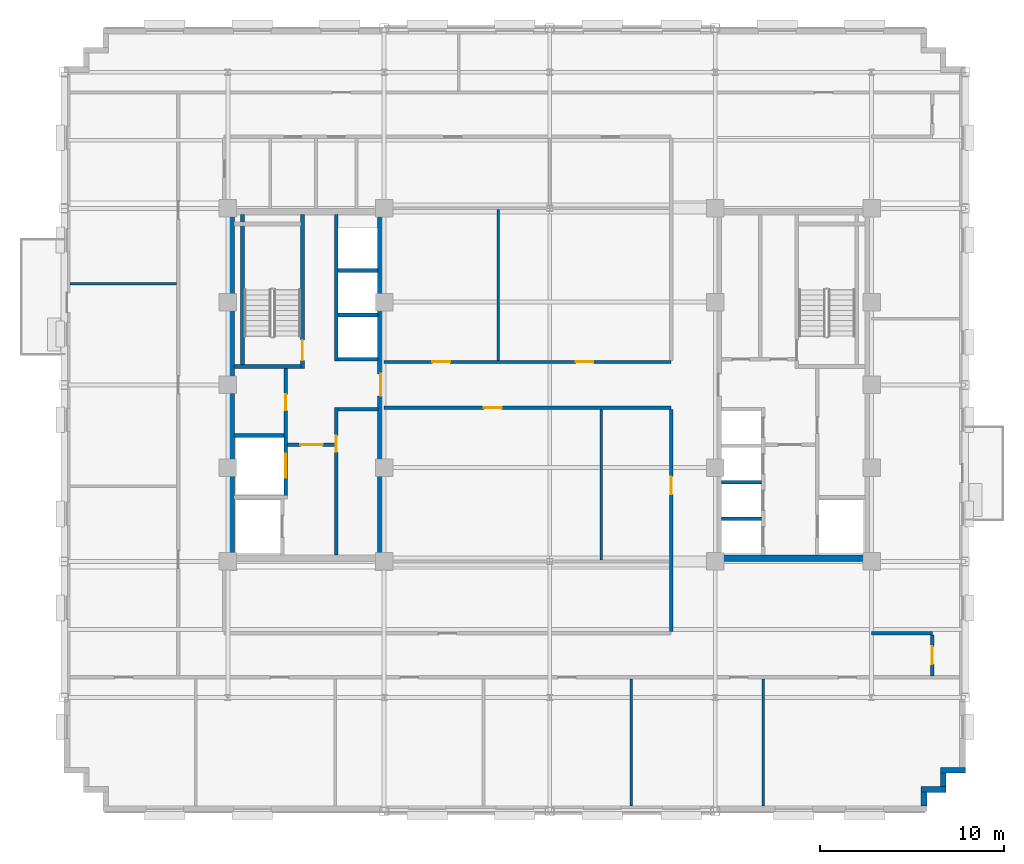
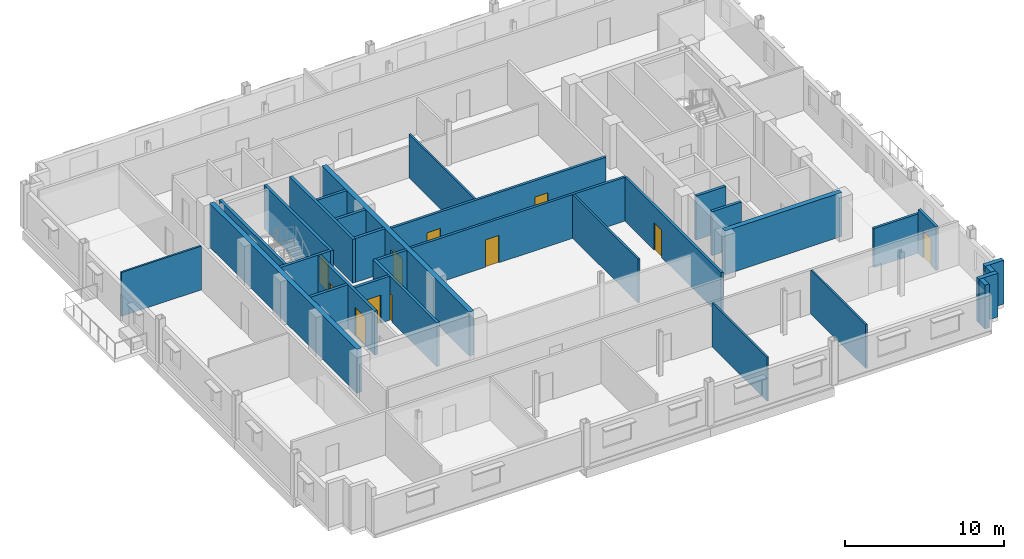
# One storey, part 8 of 15: 31 walls, 11 doors, 11 openings.
"""IFC4 building model written with IfcOpenShell, lengths in metres."""

from ifc_helpers import new_model, si_unit, direction, frame, frame_2d, origin, place, context, subcontext, project, spatial, rectangle, extrude, source, transform, mapped, material, layer, layer_set, type_object, type_shapes, element, fill, save


model = new_model("IFC4")

# Units and contexts
model_context = context("Model", 3, precision=1e-05, world=origin(), true_north=direction((0.0, 1.0)))
body_context = subcontext(model_context, "Body", "Model", "MODEL_VIEW")
ifc_project = project(units=[si_unit("LENGTHUNIT", "METRE"), si_unit("AREAUNIT", "SQUARE_METRE"), si_unit("VOLUMEUNIT", "CUBIC_METRE"), si_unit("PLANEANGLEUNIT", "RADIAN"), si_unit("MASSUNIT", "GRAM", prefix="KILO")], contexts=[model_context])

# Site, building, storey
site_placement = place(None, origin())
site = spatial("IfcSite", under=ifc_project, at=site_placement, CompositionType="ELEMENT")
building_placement = place(site_placement, origin())
building = spatial("IfcBuilding", under=site, at=building_placement, Name="Nuvemarco Arch Tower", CompositionType="ELEMENT")
storey_placement = place(building_placement, frame((0.0, 0.0, 198.199951171875)))
storey = spatial("IfcBuildingStorey", under=building, at=storey_placement, Name="L52", CompositionType="ELEMENT", Elevation=198.199951171875)

# Walls
ifc_material_1 = material(Name="Precast concrete C45/55", Category="concrete")
ifc_layer_1 = layer(ifc_material_1, 0.31005859375, Name="EW-UPP-310")
ifc_layer_set_1 = layer_set([ifc_layer_1], Name="Precast concrete C45/55")
wall_type_1 = type_object("IfcWallType", Name="EW-UPP-310", PredefinedType="STANDARD", material=ifc_layer_set_1)
wall_1_placement = place(storey_placement, frame((20.344970703125, -22.89404296875, 0.0), z_axis=(0.0, 0.0, 1.0), x_axis=(0.0, 1.0, 0.0)))
element("IfcWall", 1, at=wall_1_placement, inside=storey, type_object=wall_type_1, Name="L52 exterior precast facade wall 2", PredefinedType="STANDARD", context=body_context, shape_type="SweptSolid", body=[
    extrude(rectangle(XDim=0.748046875, YDim=0.31005859375, at=frame_2d((0.3740234375, 0.0))), origin(), (0.0, 0.0, 1.0), 3.360107421875),
])
wall_2_placement = place(storey_placement, frame((20.18994140625, -21.9951171875, 0.0), z_axis=(0.0, 0.0, 1.0), x_axis=(1.0, 0.0, 0.0)))
element("IfcWall", 2, at=wall_2_placement, inside=storey, type_object=wall_type_1, Name="L52 exterior precast facade wall 3", PredefinedType="STANDARD", context=body_context, shape_type="SweptSolid", body=[
    extrude(rectangle(XDim=1.360107421875, YDim=0.31005859375, at=frame_2d((0.68017578125, 0.0))), origin(), (0.0, 0.0, 1.0), 3.360107421875),
])
wall_3_placement = place(storey_placement, frame((21.39501953125, -21.843994140625, 0.0), z_axis=(0.0, 0.0, 1.0), x_axis=(0.0, 1.0, 0.0)))
element("IfcWall", 3, at=wall_3_placement, inside=storey, type_object=wall_type_1, Name="L52 exterior precast facade wall 4", PredefinedType="STANDARD", context=body_context, shape_type="SweptSolid", body=[
    extrude(rectangle(XDim=0.748046875, YDim=0.31005859375, at=frame_2d((0.3740234375, 0.0))), origin(), (0.0, 0.0, 1.0), 3.360107421875),
])
wall_4_placement = place(storey_placement, frame((21.239990234375, -20.945068359375, 0.0), z_axis=(0.0, 0.0, 1.0), x_axis=(1.0, 0.0, 0.0)))
element("IfcWall", 4, at=wall_4_placement, inside=storey, type_object=wall_type_1, Name="L52 exterior precast facade wall 5", PredefinedType="STANDARD", context=body_context, shape_type="SweptSolid", body=[
    extrude(rectangle(XDim=1.360107421875, YDim=0.31005859375, at=frame_2d((0.68017578125, 0.0))), origin(), (0.0, 0.0, 1.0), 3.360107421875),
])
ifc_material_2 = material(Name="Concrete C50/60", Category="concrete")
ifc_layer_2 = layer(ifc_material_2, 0.35009765625, Name="WL-CORE-350")
ifc_layer_set_2 = layer_set([ifc_layer_2], Name="Concrete C50/60")
wall_type_2 = type_object("IfcWallType", Name="WL-CORE-350", PredefinedType="SHEAR", material=ifc_layer_set_2)
wall_5_placement = place(storey_placement, frame((-17.324951171875, -9.2548828125, 0.0), z_axis=(0.0, 0.0, 1.0), x_axis=(0.0, 1.0, 0.0)))
element("IfcWall", 5, at=wall_5_placement, inside=storey, type_object=wall_type_2, Name="L52 W-core shear wall W", PredefinedType="SHEAR", context=body_context, shape_type="SweptSolid", body=[
    extrude(rectangle(XDim=18.509765625, YDim=0.35009765625, at=frame_2d((9.2548828125, 0.0))), origin(), (0.0, 0.0, 1.0), 3.3701171875),
])

# Wall, opening, door
wall_6_placement = place(storey_placement, frame((-9.175048828125, -9.2548828125, 0.0), z_axis=(0.0, 0.0, 1.0), x_axis=(0.0, 1.0, 0.0)))
wall_6 = element("IfcWall", 6, at=wall_6_placement, inside=storey, type_object=wall_type_2, Name="L52 W-core shear wall E", PredefinedType="SHEAR", context=body_context, shape_type="SweptSolid", body=[
    extrude(rectangle(XDim=18.509765625, YDim=0.35009765625, at=frame_2d((9.2548828125, 0.0))), origin(), (0.0, 0.0, 1.0), 3.3701171875),
])
opening_1_placement = place(wall_6_placement, frame((8.655029296875, 0.0, 0.0)))
opening_1 = element("IfcOpeningElement", 7, at=opening_1_placement, cuts=wall_6, Name="Opening FD-2", PredefinedType="OPENING", context=body_context, shape_type="SweptSolid", body=[
    extrude(rectangle(XDim=1.199951171875, YDim=2.14990234375, at=frame_2d((0.60009765625, 1.074951171875))), frame((0.0, 0.18505859375, 0.0), z_axis=(0.0, -1.0, 0.0), x_axis=(1.0, 0.0, 0.0)), (0.0, 0.0, 1.0), 0.3701171875),
])
ifc_material_3 = material(Name="Anodised steel fire door", Category="steel")
door_type_1 = type_object("IfcDoorType", Name="DR-FFLOB-FD", OperationType="NOTDEFINED", PredefinedType="DOOR", material=ifc_material_3)
shared_shape_1 = source(origin(), body_context, "Body", "SweptSolid", [
    extrude(rectangle(XDim=1.199951171875, YDim=2.14990234375, at=frame_2d((0.60009765625, 1.074951171875))), frame((0.0, 0.02490234375, 0.0), z_axis=(0.0, -1.0, 0.0), x_axis=(1.0, 0.0, 0.0)), (0.0, 0.0, 1.0), 0.050048828125),
])
type_shapes(door_type_1, [shared_shape_1])
door_1_placement = place(opening_1_placement, origin())
door_1 = element("IfcDoor", 8, at=door_1_placement, inside=storey, type_object=door_type_1, Name="L52 door FD-L52-WCORE-E", OperationType="SINGLE_SWING_LEFT", OverallHeight=2.14990234375, OverallWidth=1.199951171875, PredefinedType="DOOR", context=body_context, shape_type="MappedRepresentation", body=[
    mapped(shared_shape_1, transform((0.0, 0.0, 0.0), scale=1.0)),
])
fill(opening_1, door_1)

# Walls
wall_7_placement = place(storey_placement, frame((9.0, -9.425048828125, 0.0), z_axis=(0.0, 0.0, 1.0), x_axis=(1.0, 0.0, 0.0)))
element("IfcWall", 9, at=wall_7_placement, inside=storey, type_object=wall_type_2, Name="L52 E-core shear wall S", PredefinedType="SHEAR", context=body_context, shape_type="SweptSolid", body=[
    extrude(rectangle(XDim=8.5, YDim=0.35009765625, at=frame_2d((4.25, 0.0))), origin(), (0.0, 0.0, 1.0), 3.3701171875),
])
ifc_material_4 = material(Name="Fire-rated gypsum drywall partition")
ifc_layer_3 = layer(ifc_material_4, 0.179931640625, Name="WL-CORR-180")
ifc_layer_set_3 = layer_set([ifc_layer_3], Name="Fire-rated gypsum drywall partition")
wall_type_3 = type_object("IfcWallType", Name="WL-CORR-180", PredefinedType="PARTITIONING", material=ifc_layer_set_3)
wall_8_placement = place(storey_placement, frame((17.5, -13.5, 0.0), z_axis=(0.0, 0.0, 1.0), x_axis=(1.0, 0.0, 0.0)))
element("IfcWall", 10, at=wall_8_placement, inside=storey, type_object=wall_type_3, Name="L52 interior wall IW-L52-003", PredefinedType="PARTITIONING", context=body_context, shape_type="SweptSolid", body=[
    extrude(rectangle(XDim=3.300048828125, YDim=0.179931640625, at=frame_2d((1.64990234375, 0.0))), origin(), (0.0, 0.0, 1.0), 3.008056640625),
])

# Wall, opening, door
wall_9_placement = place(storey_placement, frame((-9.0, -1.25, 0.0), z_axis=(0.0, 0.0, 1.0), x_axis=(1.0, 0.0, 0.0)))
wall_9 = element("IfcWall", 11, at=wall_9_placement, inside=storey, type_object=wall_type_3, Name="L52 interior wall IW-L52-007", PredefinedType="PARTITIONING", context=body_context, shape_type="SweptSolid", body=[
    extrude(rectangle(XDim=15.60009765625, YDim=0.179931640625, at=frame_2d((7.800048828125, 0.0))), origin(), (0.0, 0.0, 1.0), 3.360107421875),
])
opening_2_placement = place(wall_9_placement, frame((5.419921875, 0.0, 0.0)))
opening_2 = element("IfcOpeningElement", 12, at=opening_2_placement, cuts=wall_9, Name="Opening FD-5", PredefinedType="OPENING", context=body_context, shape_type="SweptSolid", body=[
    extrude(rectangle(XDim=0.9599609375, YDim=2.10009765625, at=frame_2d((0.47998046875, 1.050048828125))), frame((0.0, 0.099853515625, 0.0), z_axis=(0.0, -1.0, 0.0), x_axis=(1.0, 0.0, 0.0)), (0.0, 0.0, 1.0), 0.199951171875),
])
ifc_material_5 = material(Name="Timber fire door", Category="wood")
door_type_2 = type_object("IfcDoorType", Name="DR-CORR-FD", OperationType="NOTDEFINED", PredefinedType="DOOR", material=ifc_material_5)
shared_shape_2 = source(origin(), body_context, "Body", "SweptSolid", [
    extrude(rectangle(XDim=0.9599609375, YDim=2.10009765625, at=frame_2d((0.47998046875, 1.050048828125))), frame((0.0, 0.02490234375, 0.0), z_axis=(0.0, -1.0, 0.0), x_axis=(1.0, 0.0, 0.0)), (0.0, 0.0, 1.0), 0.050048828125),
])
type_shapes(door_type_2, [shared_shape_2])
door_2_placement = place(opening_2_placement, origin())
door_2 = element("IfcDoor", 13, at=door_2_placement, inside=storey, type_object=door_type_2, Name="L52 door DR-L52-C_SW", OperationType="SINGLE_SWING_RIGHT", OverallHeight=2.10009765625, OverallWidth=0.9599609375, PredefinedType="DOOR", context=body_context, shape_type="MappedRepresentation", body=[
    mapped(shared_shape_2, transform((0.0, 0.0, 0.0), scale=1.0)),
])
fill(opening_2, door_2)

# Wall, openings, doors
wall_10_placement = place(storey_placement, frame((-9.0, 1.25, 0.0), z_axis=(0.0, 0.0, 1.0), x_axis=(1.0, 0.0, 0.0)))
wall_10 = element("IfcWall", 14, at=wall_10_placement, inside=storey, type_object=wall_type_3, Name="L52 interior wall IW-L52-008", PredefinedType="PARTITIONING", context=body_context, shape_type="SweptSolid", body=[
    extrude(rectangle(XDim=15.60009765625, YDim=0.179931640625, at=frame_2d((7.800048828125, 0.0))), origin(), (0.0, 0.0, 1.0), 3.360107421875),
])
opening_3_placement = place(wall_10_placement, frame((10.419921875, 0.0, 0.0)))
opening_3 = element("IfcOpeningElement", 15, at=opening_3_placement, cuts=wall_10, Name="Opening FD-5", PredefinedType="OPENING", context=body_context, shape_type="SweptSolid", body=[
    extrude(rectangle(XDim=0.9599609375, YDim=2.10009765625, at=frame_2d((0.47998046875, 1.050048828125))), frame((0.0, 0.099853515625, 0.0), z_axis=(0.0, -1.0, 0.0), x_axis=(1.0, 0.0, 0.0)), (0.0, 0.0, 1.0), 0.199951171875),
])
opening_4_placement = place(wall_10_placement, frame((2.6201171875, 0.0, 0.0)))
opening_4 = element("IfcOpeningElement", 16, at=opening_4_placement, cuts=wall_10, Name="Opening FD-5", PredefinedType="OPENING", context=body_context, shape_type="SweptSolid", body=[
    extrude(rectangle(XDim=0.9599609375, YDim=2.10009765625, at=frame_2d((0.47998046875, 1.050048828125))), frame((0.0, 0.099853515625, 0.0), z_axis=(0.0, -1.0, 0.0), x_axis=(1.0, 0.0, 0.0)), (0.0, 0.0, 1.0), 0.199951171875),
])
door_3_placement = place(opening_3_placement, origin())
door_3 = element("IfcDoor", 17, at=door_3_placement, inside=storey, type_object=door_type_2, Name="L52 door DR-L52-C_NE", OperationType="SINGLE_SWING_LEFT", OverallHeight=2.10009765625, OverallWidth=0.9599609375, PredefinedType="DOOR", context=body_context, shape_type="MappedRepresentation", body=[
    mapped(shared_shape_2, transform((0.0, 0.0, 0.0), scale=1.0)),
])
fill(opening_3, door_3)
door_4_placement = place(opening_4_placement, origin())
door_4 = element("IfcDoor", 18, at=door_4_placement, inside=storey, type_object=door_type_2, Name="L52 door DR-L52-C_NW", OperationType="SINGLE_SWING_LEFT", OverallHeight=2.10009765625, OverallWidth=0.9599609375, PredefinedType="DOOR", context=body_context, shape_type="MappedRepresentation", body=[
    mapped(shared_shape_2, transform((0.0, 0.0, 0.0), scale=1.0)),
])
fill(opening_4, door_4)

# Wall, opening, door
wall_11_placement = place(storey_placement, frame((6.60009765625, -13.4140625, 0.0), z_axis=(0.0, 0.0, 1.0), x_axis=(0.0, 1.0, 0.0)))
wall_11 = element("IfcWall", 19, at=wall_11_placement, inside=storey, type_object=wall_type_3, Name="L52 interior wall IW-L52-030", PredefinedType="PARTITIONING", context=body_context, shape_type="SweptSolid", body=[
    extrude(rectangle(XDim=12.078125, YDim=0.179931640625, at=frame_2d((6.0390625, 0.0))), origin(), (0.0, 0.0, 1.0), 3.360107421875),
])
opening_5_placement = place(wall_11_placement, frame((7.466064453125, 0.0, 0.0)))
opening_5 = element("IfcOpeningElement", 20, at=opening_5_placement, cuts=wall_11, Name="Opening FD-5", PredefinedType="OPENING", context=body_context, shape_type="SweptSolid", body=[
    extrude(rectangle(XDim=0.9599609375, YDim=2.10009765625, at=frame_2d((0.47998046875, 1.050048828125))), frame((0.0, 0.099853515625, 0.0), z_axis=(0.0, -1.0, 0.0), x_axis=(1.0, 0.0, 0.0)), (0.0, 0.0, 1.0), 0.199951171875),
])
door_5_placement = place(opening_5_placement, origin())
door_5 = element("IfcDoor", 21, at=door_5_placement, inside=storey, type_object=door_type_2, Name="L52 door DR-L52-C_SE", OperationType="SINGLE_SWING_LEFT", OverallHeight=2.10009765625, OverallWidth=0.9599609375, PredefinedType="DOOR", context=body_context, shape_type="MappedRepresentation", body=[
    mapped(shared_shape_2, transform((0.0, 0.0, 0.0), scale=1.0)),
])
fill(opening_5, door_5)

wall_12_placement = place(storey_placement, frame((20.800048828125, -15.81396484375, 0.0), z_axis=(0.0, 0.0, 1.0), x_axis=(0.0, 1.0, 0.0)))
wall_12 = element("IfcWall", 22, at=wall_12_placement, inside=storey, type_object=wall_type_3, Name="L52 interior wall IW-L52-033", PredefinedType="PARTITIONING", context=body_context, shape_type="SweptSolid", body=[
    extrude(rectangle(XDim=2.22802734375, YDim=0.179931640625, at=frame_2d((1.114013671875, 0.0))), origin(), (0.0, 0.0, 1.0), 3.360107421875),
])
opening_6_placement = place(wall_12_placement, frame((0.634033203125, 0.0, 0.0)))
opening_6 = element("IfcOpeningElement", 23, at=opening_6_placement, cuts=wall_12, Name="Opening FD-5", PredefinedType="OPENING", context=body_context, shape_type="SweptSolid", body=[
    extrude(rectangle(XDim=0.9599609375, YDim=2.10009765625, at=frame_2d((0.47998046875, 1.050048828125))), frame((0.0, 0.099853515625, 0.0), z_axis=(0.0, -1.0, 0.0), x_axis=(1.0, 0.0, 0.0)), (0.0, 0.0, 1.0), 0.199951171875),
])
door_6_placement = place(opening_6_placement, origin())
door_6 = element("IfcDoor", 24, at=door_6_placement, inside=storey, type_object=door_type_2, Name="L52 door DR-L52-E_1", OperationType="SINGLE_SWING_RIGHT", OverallHeight=2.10009765625, OverallWidth=0.9599609375, PredefinedType="DOOR", context=body_context, shape_type="MappedRepresentation", body=[
    mapped(shared_shape_2, transform((0.0, 0.0, 0.0), scale=1.0)),
])
fill(opening_6, door_6)

# Walls
ifc_material_6 = material(Name="Glazed acoustic office partition")
ifc_layer_4 = layer(ifc_material_6, 0.1298828125, Name="WL-EXEC-130")
ifc_layer_set_4 = layer_set([ifc_layer_4], Name="Glazed acoustic office partition")
wall_type_4 = type_object("IfcWallType", Name="WL-EXEC-130", PredefinedType="PARTITIONING", material=ifc_layer_set_4)
wall_13_placement = place(storey_placement, frame((-26.090087890625, 5.5, 0.0), z_axis=(0.0, 0.0, 1.0), x_axis=(1.0, 0.0, 0.0)))
element("IfcWall", 25, at=wall_13_placement, inside=storey, type_object=wall_type_4, Name="L52 interior wall IW-L52-010", PredefinedType="PARTITIONING", context=body_context, shape_type="SweptSolid", body=[
    extrude(rectangle(XDim=5.80419921875, YDim=0.1298828125, at=frame_2d((2.902099609375, 0.0))), origin(), (0.0, 0.0, 1.0), 3.360107421875),
])
wall_14_placement = place(storey_placement, frame((-2.800048828125, 1.3359375, 0.0), z_axis=(0.0, 0.0, 1.0), x_axis=(0.0, 1.0, 0.0)))
element("IfcWall", 26, at=wall_14_placement, inside=storey, type_object=wall_type_4, Name="L52 interior wall IW-L52-026", PredefinedType="PARTITIONING", context=body_context, shape_type="SweptSolid", body=[
    extrude(rectangle(XDim=8.197998046875, YDim=0.1298828125, at=frame_2d((4.09912109375, 0.0))), origin(), (0.0, 0.0, 1.0), 3.360107421875),
])
for number, where, z_axis, x_axis, name in (
    (27, (4.43994140625, -22.889892578125, 0.0), (0.0, 0.0, 1.0), (0.0, 1.0, 0.0), "L52 interior wall IW-L52-029"),
    (28, (11.60009765625, -22.889892578125, 0.0), (0.0, 0.0, 1.0), (0.0, 1.0, 0.0), "L52 interior wall IW-L52-032"),
):
    element("IfcWall", number, at=place(storey_placement, frame(where, z_axis=z_axis, x_axis=x_axis)), inside=storey, type_object=wall_type_4, Name=name, PredefinedType="PARTITIONING", context=body_context, shape_type="SweptSolid", body=[
        extrude(rectangle(XDim=6.90380859375, YDim=0.1298828125, at=frame_2d((3.451904296875, 0.0))), origin(), (0.0, 0.0, 1.0), 3.360107421875),
    ])
ifc_material_7 = material(Name="Gypsum plasterboard partition")
ifc_layer_5 = layer(ifc_material_7, 0.139892578125, Name="WL-ROOM-140")
ifc_layer_set_5 = layer_set([ifc_layer_5], Name="Gypsum plasterboard partition")
wall_type_5 = type_object("IfcWallType", Name="WL-ROOM-140", PredefinedType="PARTITIONING", material=ifc_layer_set_5)
wall_15_placement = place(storey_placement, frame((2.800048828125, -9.52392578125, 0.0), z_axis=(0.0, 0.0, 1.0), x_axis=(0.0, 1.0, 0.0)))
element("IfcWall", 29, at=wall_15_placement, inside=storey, type_object=wall_type_5, Name="L52 interior wall IW-L52-028", PredefinedType="PARTITIONING", context=body_context, shape_type="SweptSolid", body=[
    extrude(rectangle(XDim=8.18798828125, YDim=0.139892578125, at=frame_2d((4.093994140625, 0.0))), origin(), (0.0, 0.0, 1.0), 3.360107421875),
])

# Wall, opening, door
ifc_layer_6 = layer(ifc_material_2, 0.199951171875, Name="WL-SHAFT-220")
ifc_layer_set_6 = layer_set([ifc_layer_6], Name="Concrete C50/60")
wall_type_6 = type_object("IfcWallType", Name="WL-SHAFT-220", PredefinedType="SHEAR", material=ifc_layer_set_6)
wall_16_placement = place(storey_placement, frame((-13.43994140625, 0.89990234375, 0.0), z_axis=(0.0, 0.0, 1.0), x_axis=(0.0, 1.0, 0.0)))
wall_16 = element("IfcWall", 30, at=wall_16_placement, inside=storey, type_object=wall_type_6, Name="L52 structural shaft wall SW-L52-W-ST1E", PredefinedType="SHEAR", context=body_context, shape_type="SweptSolid", body=[
    extrude(rectangle(XDim=8.35498046875, YDim=0.199951171875, at=frame_2d((4.177490234375, 0.0))), origin(), (0.0, 0.0, 1.0), 3.3701171875),
])
opening_7_placement = place(wall_16_placement, frame((1.530029296875, 0.0, 0.0), z_axis=(0.0, 0.0, 1.0), x_axis=(-1.0, 0.0, 0.0)))
opening_7 = element("IfcOpeningElement", 31, at=opening_7_placement, cuts=wall_16, Name="Opening FD-1", PredefinedType="OPENING", context=body_context, shape_type="SweptSolid", body=[
    extrude(rectangle(XDim=1.10009765625, YDim=2.14990234375, at=frame_2d((0.550048828125, 1.074951171875))), frame((0.0, 0.10986328125, 0.0), z_axis=(0.0, -1.0, 0.0), x_axis=(1.0, 0.0, 0.0)), (0.0, 0.0, 1.0), 0.219970703125),
])
door_type_3 = type_object("IfcDoorType", Name="DR-STAIR-FD", OperationType="NOTDEFINED", PredefinedType="DOOR", material=ifc_material_3)
shared_shape_3 = source(origin(), body_context, "Body", "SweptSolid", [
    extrude(rectangle(XDim=1.10009765625, YDim=2.14990234375, at=frame_2d((0.550048828125, 1.074951171875))), frame((0.0, 0.02490234375, 0.0), z_axis=(0.0, -1.0, 0.0), x_axis=(1.0, 0.0, 0.0)), (0.0, 0.0, 1.0), 0.050048828125),
])
type_shapes(door_type_3, [shared_shape_3])
door_7_placement = place(opening_7_placement, origin())
door_7 = element("IfcDoor", 32, at=door_7_placement, inside=storey, type_object=door_type_3, Name="L52 door FD-L52-ST1", OperationType="SINGLE_SWING_RIGHT", OverallHeight=2.14990234375, OverallWidth=1.10009765625, PredefinedType="DOOR", context=body_context, shape_type="MappedRepresentation", body=[
    mapped(shared_shape_3, transform((0.0, 0.0, 0.0), scale=1.0)),
])
fill(opening_7, door_7)

# Walls
wall_17_placement = place(storey_placement, frame((-17.155029296875, 1.0, 0.0), z_axis=(0.0, 0.0, 1.0), x_axis=(1.0, 0.0, 0.0)))
element("IfcWall", 33, at=wall_17_placement, inside=storey, type_object=wall_type_6, Name="L52 structural shaft wall SW-L52-W-ST1S", PredefinedType="SHEAR", context=body_context, shape_type="SweptSolid", body=[
    extrude(rectangle(XDim=3.6201171875, YDim=0.199951171875, at=frame_2d((1.81005859375, 0.0))), origin(), (0.0, 0.0, 1.0), 3.3701171875),
])
wall_18_placement = place(storey_placement, frame((-16.699951171875, 1.094970703125, 0.0), z_axis=(0.0, 0.0, 1.0), x_axis=(0.0, 1.0, 0.0)))
element("IfcWall", 34, at=wall_18_placement, inside=storey, type_object=wall_type_6, Name="L52 structural shaft wall SW-L52-W-ST1W", PredefinedType="SHEAR", context=body_context, shape_type="SweptSolid", body=[
    extrude(rectangle(XDim=8.159912109375, YDim=0.199951171875, at=frame_2d((4.080078125, 0.0))), origin(), (0.0, 0.0, 1.0), 3.3701171875),
])

# Wall, openings, doors
wall_19_placement = place(storey_placement, frame((-14.35009765625, -6.199951171875, 0.0), z_axis=(0.0, 0.0, 1.0), x_axis=(0.0, 1.0, 0.0)))
wall_19 = element("IfcWall", 35, at=wall_19_placement, inside=storey, type_object=wall_type_6, Name="L52 structural shaft wall SW-L52-W-SVE", PredefinedType="SHEAR", context=body_context, shape_type="SweptSolid", body=[
    extrude(rectangle(XDim=7.10498046875, YDim=0.199951171875, at=frame_2d((3.552490234375, 0.0))), origin(), (0.0, 0.0, 1.0), 3.3701171875),
])
opening_8_placement = place(wall_19_placement, frame((5.68994140625, 0.0, 0.0), z_axis=(0.0, 0.0, 1.0), x_axis=(-1.0, 0.0, 0.0)))
opening_8 = element("IfcOpeningElement", 36, at=opening_8_placement, cuts=wall_19, Name="Opening FD-4", PredefinedType="OPENING", context=body_context, shape_type="SweptSolid", body=[
    extrude(rectangle(XDim=0.8798828125, YDim=2.10009765625, at=frame_2d((0.43994140625, 1.050048828125))), frame((0.0, 0.10986328125, 0.0), z_axis=(0.0, -1.0, 0.0), x_axis=(1.0, 0.0, 0.0)), (0.0, 0.0, 1.0), 0.219970703125),
])
opening_9_placement = place(wall_19_placement, frame((1.14990234375, 0.0, 0.0)))
opening_9 = element("IfcOpeningElement", 37, at=opening_9_placement, cuts=wall_19, Name="Opening LD-3", PredefinedType="OPENING", context=body_context, shape_type="SweptSolid", body=[
    extrude(rectangle(XDim=1.300048828125, YDim=2.199951171875, at=frame_2d((0.64990234375, 1.10009765625))), frame((0.0, 0.10986328125, 0.0), z_axis=(0.0, -1.0, 0.0), x_axis=(1.0, 0.0, 0.0)), (0.0, 0.0, 1.0), 0.219970703125),
])
door_type_4 = type_object("IfcDoorType", Name="DR-RISER-FD", OperationType="NOTDEFINED", PredefinedType="DOOR", material=ifc_material_3)
shared_shape_4 = source(origin(), body_context, "Body", "SweptSolid", [
    extrude(rectangle(XDim=0.8798828125, YDim=2.10009765625, at=frame_2d((0.43994140625, 1.050048828125))), frame((0.0, 0.02490234375, 0.0), z_axis=(0.0, -1.0, 0.0), x_axis=(1.0, 0.0, 0.0)), (0.0, 0.0, 1.0), 0.050048828125),
])
type_shapes(door_type_4, [shared_shape_4])
door_8_placement = place(opening_8_placement, origin())
door_8 = element("IfcDoor", 38, at=door_8_placement, inside=storey, type_object=door_type_4, Name="L52 door FD-L52-WRIS", OperationType="SINGLE_SWING_RIGHT", OverallHeight=2.10009765625, OverallWidth=0.8798828125, PredefinedType="DOOR", context=body_context, shape_type="MappedRepresentation", body=[
    mapped(shared_shape_4, transform((0.0, 0.0, 0.0), scale=1.0)),
])
fill(opening_8, door_8)
ifc_material_8 = material(Name="Stainless steel lift door", Category="steel")
door_type_5 = type_object("IfcDoorType", Name="DR-LIFT-SERV", OperationType="DOUBLE_DOOR_SLIDING", PredefinedType="DOOR", material=ifc_material_8)
shared_shape_5 = source(origin(), body_context, "Body", "SweptSolid", [
    extrude(rectangle(XDim=1.300048828125, YDim=2.199951171875, at=frame_2d((0.64990234375, 1.10009765625))), frame((0.0, 0.02490234375, 0.0), z_axis=(0.0, -1.0, 0.0), x_axis=(1.0, 0.0, 0.0)), (0.0, 0.0, 1.0), 0.050048828125),
])
type_shapes(door_type_5, [shared_shape_5])
door_9_placement = place(opening_9_placement, origin())
door_9 = element("IfcDoor", 39, at=door_9_placement, inside=storey, type_object=door_type_5, Name="L52 Lift landing sliding door SVL-1", OperationType="DOUBLE_DOOR_SLIDING", OverallHeight=2.199951171875, OverallWidth=1.300048828125, PredefinedType="DOOR", context=body_context, shape_type="MappedRepresentation", body=[
    mapped(shared_shape_5, transform((0.0, 0.0, 0.0), scale=1.0)),
])
fill(opening_9, door_9)

# Wall
wall_20_placement = place(storey_placement, frame((-17.155029296875, -2.75, 0.0), z_axis=(0.0, 0.0, 1.0), x_axis=(1.0, 0.0, 0.0)))
element("IfcWall", 40, at=wall_20_placement, inside=storey, type_object=wall_type_6, Name="L52 structural shaft wall SW-L52-W-SH2", PredefinedType="SHEAR", context=body_context, shape_type="SweptSolid", body=[
    extrude(rectangle(XDim=2.7099609375, YDim=0.199951171875, at=frame_2d((1.35498046875, 0.0))), origin(), (0.0, 0.0, 1.0), 3.3701171875),
])

# Wall, opening, door
wall_21_placement = place(storey_placement, frame((-11.60009765625, -9.2548828125, 0.0), z_axis=(0.0, 0.0, 1.0), x_axis=(0.0, 1.0, 0.0)))
wall_21 = element("IfcWall", 41, at=wall_21_placement, inside=storey, type_object=wall_type_6, Name="L52 structural shaft wall SW-L52-W-PLW", PredefinedType="SHEAR", context=body_context, shape_type="SweptSolid", body=[
    extrude(rectangle(XDim=8.02490234375, YDim=0.199951171875, at=frame_2d((4.012451171875, 0.0))), origin(), (0.0, 0.0, 1.0), 3.3701171875),
])
opening_10_placement = place(wall_21_placement, frame((5.614990234375, 0.0, 0.0)))
opening_10 = element("IfcOpeningElement", 42, at=opening_10_placement, cuts=wall_21, Name="Opening FD-4", PredefinedType="OPENING", context=body_context, shape_type="SweptSolid", body=[
    extrude(rectangle(XDim=0.8798828125, YDim=2.10009765625, at=frame_2d((0.43994140625, 1.050048828125))), frame((0.0, 0.10986328125, 0.0), z_axis=(0.0, -1.0, 0.0), x_axis=(1.0, 0.0, 0.0)), (0.0, 0.0, 1.0), 0.219970703125),
])
door_10_placement = place(opening_10_placement, origin())
door_10 = element("IfcDoor", 43, at=door_10_placement, inside=storey, type_object=door_type_4, Name="L52 door FD-L52-WREC1", OperationType="SINGLE_SWING_RIGHT", OverallHeight=2.10009765625, OverallWidth=0.8798828125, PredefinedType="DOOR", context=body_context, shape_type="MappedRepresentation", body=[
    mapped(shared_shape_4, transform((0.0, 0.0, 0.0), scale=1.0)),
])
fill(opening_10, door_10)

wall_22_placement = place(storey_placement, frame((-14.2548828125, -3.25, 0.0), z_axis=(0.0, 0.0, 1.0), x_axis=(1.0, 0.0, 0.0)))
wall_22 = element("IfcWall", 44, at=wall_22_placement, inside=storey, type_object=wall_type_6, Name="L52 structural shaft wall SW-L52-W-FFN", PredefinedType="SHEAR", context=body_context, shape_type="SweptSolid", body=[
    extrude(rectangle(XDim=2.559814453125, YDim=0.199951171875, at=frame_2d((1.27978515625, 0.0))), origin(), (0.0, 0.0, 1.0), 3.3701171875),
])
opening_11_placement = place(wall_22_placement, frame((0.705078125, 0.0, 0.0)))
opening_11 = element("IfcOpeningElement", 45, at=opening_11_placement, cuts=wall_22, Name="Opening FD-2", PredefinedType="OPENING", context=body_context, shape_type="SweptSolid", body=[
    extrude(rectangle(XDim=1.199951171875, YDim=2.14990234375, at=frame_2d((0.60009765625, 1.074951171875))), frame((0.0, 0.10986328125, 0.0), z_axis=(0.0, -1.0, 0.0), x_axis=(1.0, 0.0, 0.0)), (0.0, 0.0, 1.0), 0.219970703125),
])
door_11_placement = place(opening_11_placement, origin())
door_11 = element("IfcDoor", 46, at=door_11_placement, inside=storey, type_object=door_type_1, Name="L52 door FD-L52-WFF1", OperationType="SINGLE_SWING_RIGHT", OverallHeight=2.14990234375, OverallWidth=1.199951171875, PredefinedType="DOOR", context=body_context, shape_type="MappedRepresentation", body=[
    mapped(shared_shape_1, transform((0.0, 0.0, 0.0), scale=1.0)),
])
fill(opening_11, door_11)

# Walls
wall_23_placement = place(storey_placement, frame((-11.5048828125, -1.330078125, 0.0), z_axis=(0.0, 0.0, 1.0), x_axis=(1.0, 0.0, 0.0)))
element("IfcWall", 47, at=wall_23_placement, inside=storey, type_object=wall_type_6, Name="L52 structural shaft wall SW-L52-W-PLTOP", PredefinedType="SHEAR", context=body_context, shape_type="SweptSolid", body=[
    extrude(rectangle(XDim=2.159912109375, YDim=0.199951171875, at=frame_2d((1.080078125, 0.0))), origin(), (0.0, 0.0, 1.0), 3.3701171875),
])
wall_24_placement = place(storey_placement, frame((-11.60009765625, 1.300048828125, 0.0), z_axis=(0.0, 0.0, 1.0), x_axis=(0.0, 1.0, 0.0)))
element("IfcWall", 48, at=wall_24_placement, inside=storey, type_object=wall_type_6, Name="L52 structural shaft wall SW-L52-W-PHW", PredefinedType="SHEAR", context=body_context, shape_type="SweptSolid", body=[
    extrude(rectangle(XDim=7.954833984375, YDim=0.199951171875, at=frame_2d((3.9775390625, 0.0))), origin(), (0.0, 0.0, 1.0), 3.3701171875),
])
for number, where, z_axis, x_axis, name in (
    (49, (-11.5048828125, 1.39990234375, 0.0), (0.0, 0.0, 1.0), (1.0, 0.0, 0.0), "L52 structural shaft wall SW-L52-W-PHD1"),
    (50, (-11.5048828125, 3.800048828125, 0.0), (0.0, 0.0, 1.0), (1.0, 0.0, 0.0), "L52 structural shaft wall SW-L52-W-PHD2"),
    (51, (-11.5048828125, 6.219970703125, 0.0), (0.0, 0.0, 1.0), (1.0, 0.0, 0.0), "L52 structural shaft wall SW-L52-W-PHD3"),
    (52, (9.344970703125, -7.27001953125, 0.0), (0.0, 0.0, 1.0), (1.0, 0.0, 0.0), "L52 structural shaft wall SW-L52-E-PMD1"),
    (53, (9.344970703125, -5.2900390625, 0.0), (0.0, 0.0, 1.0), (1.0, 0.0, 0.0), "L52 structural shaft wall SW-L52-E-PMD2"),
):
    element("IfcWall", number, at=place(storey_placement, frame(where, z_axis=z_axis, x_axis=x_axis)), inside=storey, type_object=wall_type_6, Name=name, PredefinedType="SHEAR", context=body_context, shape_type="SweptSolid", body=[
        extrude(rectangle(XDim=2.159912109375, YDim=0.199951171875, at=frame_2d((1.080078125, 0.0))), origin(), (0.0, 0.0, 1.0), 3.3701171875),
    ])

save(model, "model.ifc")
